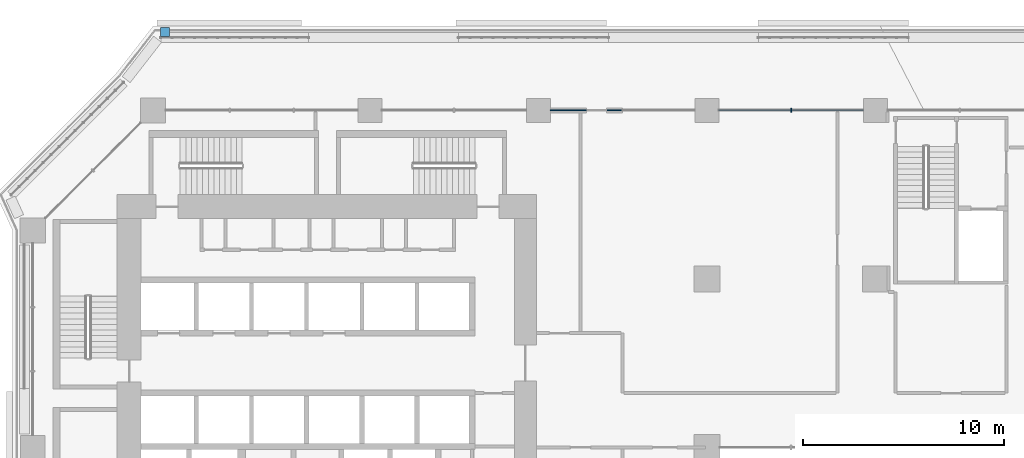
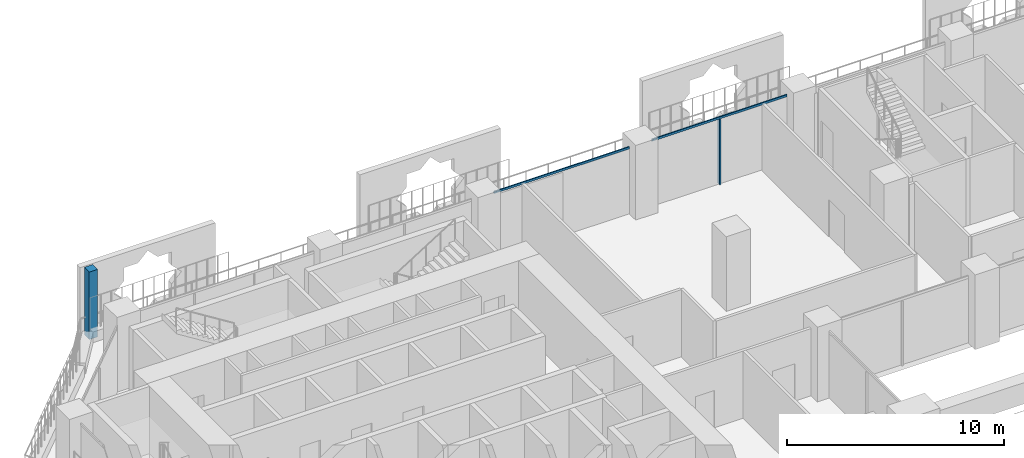
# One storey, part 8 of 28: 4 members, 2 elements without a shape of their own.
"""IFC4 building model written with IfcOpenShell, lengths in metres."""

from ifc_helpers import new_model, si_unit, direction, frame, origin, origin_2d, place, context, subcontext, project, spatial, rectangle, extrude, material, layer, layer_set, material_profile, profile_set, type_object, element, aggregate, save


model = new_model("IFC4")

# Units and contexts
model_context = context("Model", 3, precision=1e-05, world=origin(), true_north=direction((0.0, 1.0)))
body_context = subcontext(model_context, "Body", "Model", "MODEL_VIEW")
ifc_project = project(units=[si_unit("LENGTHUNIT", "METRE"), si_unit("AREAUNIT", "SQUARE_METRE"), si_unit("VOLUMEUNIT", "CUBIC_METRE"), si_unit("PLANEANGLEUNIT", "RADIAN"), si_unit("MASSUNIT", "GRAM", prefix="KILO")], contexts=[model_context])

# Site, building, storey
site_placement = place(None, origin())
site = spatial("IfcSite", under=ifc_project, at=site_placement, CompositionType="ELEMENT")
building_placement = place(site_placement, origin())
building = spatial("IfcBuilding", under=site, at=building_placement, Name="Kawkab Arch Medical Tower", CompositionType="ELEMENT")
storey_placement = place(building_placement, frame((0.0, 0.0, 47.60009765625)))
storey = spatial("IfcBuildingStorey", under=building, at=storey_placement, Name="L10", CompositionType="ELEMENT", Elevation=47.60009765625)

# Curtain wall, members
ifc_material_1 = material(Name="Bronze anodised aluminium curtain wall frame", Category="aluminium")
ifc_layer_1 = layer(ifc_material_1, 0.159912109375)
ifc_layer_set_1 = layer_set([ifc_layer_1], Name="Bronze anodised aluminium curtain wall frame")
curtain_wall_type_1 = type_object("IfcCurtainWallType", Name="CW1 ward curtain wall", PredefinedType="NOTDEFINED", material=ifc_layer_set_1)
placement = place(storey_placement, origin())
curtain_wall_1 = element("IfcCurtainWall", 1, at=placement, inside=storey, type_object=curtain_wall_type_1, Name="CW1 Ward curtain wall R09", PredefinedType="NOTDEFINED")
ifc_material_2 = material(Name="Bronze anodised aluminium curtain wall frame", Category="aluminium")
ifc_material_profile_1 = material_profile(ifc_material_2, rectangle(XDim=0.179931640625, YDim=0.06005859375, at=origin_2d()), Name="AL 60x180")
ifc_profile_set_1 = profile_set([ifc_material_profile_1], Name="Bronze anodised aluminium curtain wall frame")
member_type_1 = type_object("IfcMemberType", Name="CW1 mullion 60 x 180", PredefinedType="MULLION", material=ifc_profile_set_1)
member_1_placement = place(storey_placement, frame((37.800048828125, 0.0, 0.0), z_axis=(0.0, 0.0, 1.0), x_axis=(0.0, -1.0, 0.0)))
member_1 = element("IfcMember", 2, at=member_1_placement, type_object=member_type_1, Name="CW1 mullion 5.1", PredefinedType="MULLION", context=body_context, shape_type="SweptSolid", body=[
    extrude(rectangle(XDim=0.179931640625, YDim=0.06005859375, at=origin_2d()), origin(), (0.0, 0.0, 1.0), 3.659912109375),
])
ifc_material_3 = material(Name="Bronze anodised aluminium curtain wall frame", Category="aluminium")
ifc_material_profile_2 = material_profile(ifc_material_3, rectangle(XDim=0.06005859375, YDim=0.1201171875, at=origin_2d()), Name="AL 60x120")
ifc_profile_set_2 = profile_set([ifc_material_profile_2], Name="Bronze anodised aluminium curtain wall frame")
member_type_2 = type_object("IfcMemberType", Name="CW1 transom 120 x 60", PredefinedType="USERDEFINED", material=ifc_profile_set_2)
member_2_placement = place(storey_placement, frame((41.39990234375, 0.0, 3.719970703125), z_axis=(-1.0, 0.0, 0.0), x_axis=(0.0, -1.0, 0.0)))
member_2 = element("IfcMember", 3, at=member_2_placement, type_object=member_type_2, Name="CW1 transom 5", ObjectType="TRANSOM", PredefinedType="USERDEFINED", context=body_context, shape_type="SweptSolid", body=[
    extrude(rectangle(XDim=0.06005859375, YDim=0.1201171875, at=origin_2d()), origin(), (0.0, 0.0, 1.0), 7.199951171875),
])
member_3_placement = place(storey_placement, frame((33.0, 0.0, 3.719970703125), z_axis=(-1.0, 0.0, 0.0), x_axis=(0.0, -1.0, 0.0)))
member_3 = element("IfcMember", 4, at=member_3_placement, type_object=member_type_2, Name="CW1 transom 6", ObjectType="TRANSOM", PredefinedType="USERDEFINED", context=body_context, shape_type="SweptSolid", body=[
    extrude(rectangle(XDim=0.06005859375, YDim=0.1201171875, at=origin_2d()), origin(), (0.0, 0.0, 1.0), 7.199951171875),
])
aggregate(curtain_wall_1, [member_2, member_1, member_3])

# Curtain wall, member
ifc_material_4 = material(Name="Bronze anodised aluminium climber frame, planted", Category="aluminium")
ifc_layer_2 = layer(ifc_material_4, 0.449951171875)
ifc_layer_set_2 = layer_set([ifc_layer_2], Name="Bronze anodised aluminium climber frame, planted")
curtain_wall_type_2 = type_object("IfcCurtainWallType", Name="Planted climber frame", PredefinedType="NOTDEFINED", material=ifc_layer_set_2)
curtain_wall_2 = element("IfcCurtainWall", 5, at=placement, inside=storey, type_object=curtain_wall_type_2, Name="Planted climber frame L10", PredefinedType="NOTDEFINED")
ifc_material_5 = material(Name="Bronze anodised aluminium climber frame, planted", Category="aluminium")
ifc_material_profile_3 = material_profile(ifc_material_5, rectangle(XDim=0.449951171875, YDim=0.449951171875, at=origin_2d()), Name="Post 450x450")
ifc_profile_set_3 = profile_set([ifc_material_profile_3], Name="Bronze anodised aluminium climber frame, planted")
member_type_3 = type_object("IfcMemberType", Name="Planted climber post 450 x 450", PredefinedType="MULLION", material=ifc_profile_set_3)
member_4_placement = place(storey_placement, frame((6.596923828125, 3.89990234375, 0.0), z_axis=(0.0, 0.0, 1.0), x_axis=(1.0, 0.0, 0.0)))
member_4 = element("IfcMember", 6, at=member_4_placement, type_object=member_type_3, Name="Planted climber post L10.LOG-01-02.1", PredefinedType="MULLION", context=body_context, shape_type="SweptSolid", body=[
    extrude(rectangle(XDim=0.449951171875, YDim=0.449951171875, at=origin_2d()), origin(), (0.0, 0.0, 1.0), 3.7998046875),
])
aggregate(curtain_wall_2, [member_4])

save(model, "model.ifc")
